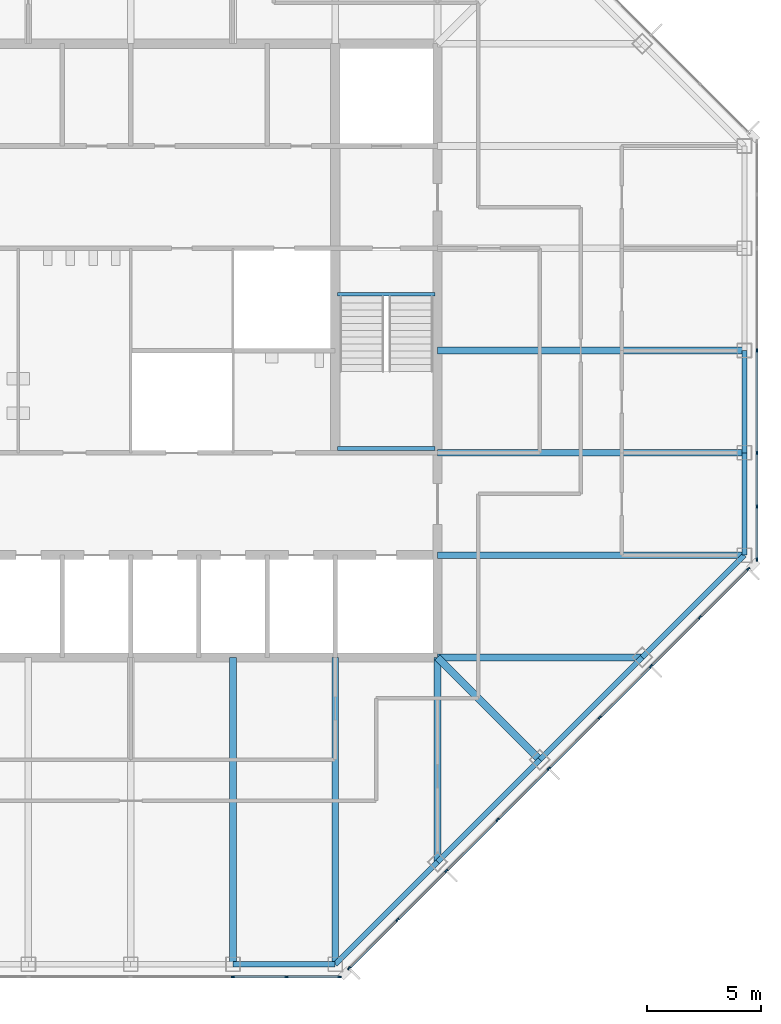
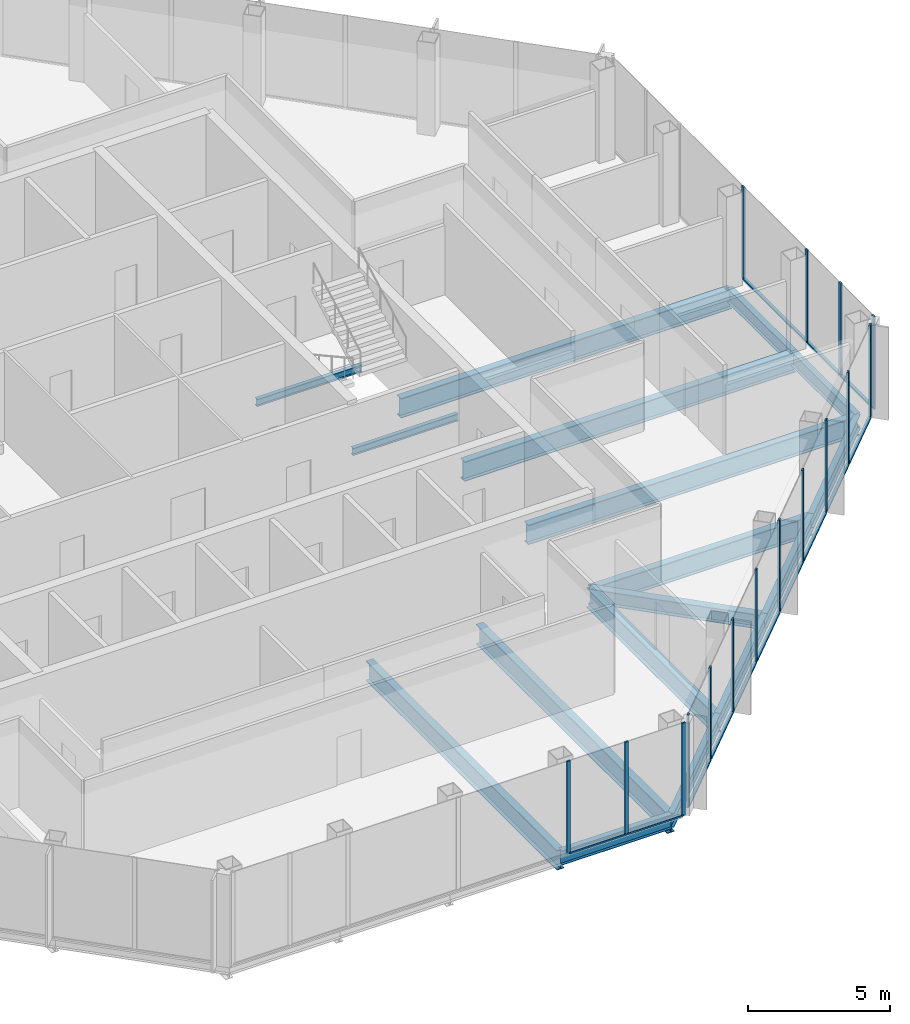
# One storey, part 4 of 14: 29 members, 17 beams, 3 elements without a shape of their own.
"""IFC4 building model written with IfcOpenShell, lengths in metres."""

from ifc_helpers import new_model, si_unit, direction, frame, origin, origin_2d, place, context, subcontext, project, spatial, rectangle, i_section, extrude, material, material_profile, profile_set, type_object, element, aggregate, save


model = new_model("IFC4")

# Units and contexts
model_context = context("Model", 3, precision=1e-05, world=origin(), true_north=direction((0.0, 1.0)))
body_context = subcontext(model_context, "Body", "Model", "MODEL_VIEW")
ifc_project = project(units=[si_unit("LENGTHUNIT", "METRE"), si_unit("AREAUNIT", "SQUARE_METRE"), si_unit("VOLUMEUNIT", "CUBIC_METRE"), si_unit("PLANEANGLEUNIT", "RADIAN"), si_unit("MASSUNIT", "GRAM", prefix="KILO")], contexts=[model_context])

# Site, building, storey
site_placement = place(None, origin())
site = spatial("IfcSite", under=ifc_project, at=site_placement, CompositionType="ELEMENT")
building_placement = place(site_placement, origin())
building = spatial("IfcBuilding", under=site, at=building_placement, Name="Corais Broadcast Tower", CompositionType="ELEMENT")
storey_placement = place(building_placement, frame((0.0, 0.0, 214.60009765625)))
storey = spatial("IfcBuildingStorey", under=building, at=storey_placement, Name="L49", CompositionType="ELEMENT", Elevation=214.60009765625)

# Beams
ifc_material_1 = material(Name="Steel ASTM A572 Grade 50", Category="steel")
ifc_material_profile_1 = material_profile(ifc_material_1, i_section(OverallWidth=0.323974609375, OverallDepth=0.611083984375, WebThickness=0.0126953125, FlangeThickness=0.01904296875, at=origin_2d()), Name="W610x155")
ifc_profile_set_1 = profile_set([ifc_material_profile_1], Name="Steel ASTM A572 Grade 50")
beam_type_1 = type_object("IfcBeamType", Name="Corner diagonal W610x155", PredefinedType="BEAM", material=ifc_profile_set_1)
beam_1_placement = place(storey_placement, frame((45.0, 9.0, -0.465576171875), z_axis=(-0.707106781187, 0.707106781187, 0.0), x_axis=(-0.707106781187, -0.707106781187, 0.0)))
element("IfcBeam", 1, at=beam_1_placement, inside=storey, type_object=beam_type_1, Name="B6 C/13 to D/12", PredefinedType="BEAM", context=body_context, shape_type="SweptSolid", body=[
    extrude(i_section(OverallWidth=0.323974609375, OverallDepth=0.611083984375, WebThickness=0.0126953125, FlangeThickness=0.01904296875, at=origin_2d()), origin(), (0.0, 0.0, 1.0), 6.364013671875),
])
ifc_material_2 = material(Name="Steel ASTM A572 Grade 50", Category="steel")
ifc_material_profile_2 = material_profile(ifc_material_2, i_section(OverallWidth=0.2939453125, OverallDepth=0.85107421875, WebThickness=0.01611328125, FlangeThickness=0.02685546875, at=origin_2d()), Name="W840x226")
ifc_profile_set_2 = profile_set([ifc_material_profile_2], Name="Steel ASTM A572 Grade 50")
beam_type_2 = type_object("IfcBeamType", Name="Floor beam W840x226", PredefinedType="BEAM", material=ifc_profile_set_2)
for number, where, z_axis, x_axis, name in (
    (2, (31.5, 0.0, -0.585693359375), (0.0, 1.0, 0.0), (-1.0, 0.0, 0.0), "B1 A/10 to D/10"),
    (3, (36.0, 0.0, -0.585693359375), (0.0, 1.0, 0.0), (-1.0, 0.0, 0.0), "B1 A/11 to D/11"),
):
    element("IfcBeam", number, at=place(storey_placement, frame(where, z_axis=z_axis, x_axis=x_axis)), inside=storey, type_object=beam_type_2, Name=name, PredefinedType="BEAM", context=body_context, shape_type="SweptSolid", body=[
        extrude(i_section(OverallWidth=0.2939453125, OverallDepth=0.85107421875, WebThickness=0.01611328125, FlangeThickness=0.02685546875, at=origin_2d()), origin(), (0.0, 0.0, 1.0), 13.5),
    ])
for number, where, z_axis, x_axis, name in (
    (4, (40.5, 4.5, -0.585693359375), (0.0, 1.0, 0.0), (-1.0, 0.0, 0.0), "B1 B/12 to D/12"),
    (5, (49.5, 13.5, -0.585693359375), (-1.0, 0.0, 0.0), (0.0, -1.0, 0.0), "B1 D/14 to D/12"),
):
    element("IfcBeam", number, at=place(storey_placement, frame(where, z_axis=z_axis, x_axis=x_axis)), inside=storey, type_object=beam_type_2, Name=name, PredefinedType="BEAM", context=body_context, shape_type="SweptSolid", body=[
        extrude(i_section(OverallWidth=0.2939453125, OverallDepth=0.85107421875, WebThickness=0.01611328125, FlangeThickness=0.02685546875, at=origin_2d()), origin(), (0.0, 0.0, 1.0), 9.0),
    ])
for number, where, z_axis, x_axis, name in (
    (6, (54.0, 18.0, -0.585693359375), (-1.0, 0.0, 0.0), (0.0, -1.0, 0.0), "B1 E/15 to E/12"),
    (7, (54.0, 22.5, -0.585693359375), (-1.0, 0.0, 0.0), (0.0, -1.0, 0.0), "B1 F/15 to F/12"),
    (8, (54.0, 27.0, -0.585693359375), (-1.0, 0.0, 0.0), (0.0, -1.0, 0.0), "B1 G/15 to G/12"),
):
    element("IfcBeam", number, at=place(storey_placement, frame(where, z_axis=z_axis, x_axis=x_axis)), inside=storey, type_object=beam_type_2, Name=name, PredefinedType="BEAM", context=body_context, shape_type="SweptSolid", body=[
        extrude(i_section(OverallWidth=0.2939453125, OverallDepth=0.85107421875, WebThickness=0.01611328125, FlangeThickness=0.02685546875, at=origin_2d()), origin(), (0.0, 0.0, 1.0), 13.5),
    ])
ifc_material_3 = material(Name="Steel ASTM A572 Grade 50", Category="steel")
ifc_material_profile_3 = material_profile(ifc_material_3, i_section(OverallWidth=0.1650390625, OverallDepth=0.31005859375, WebThickness=0.005859375, FlangeThickness=0.009765625, at=origin_2d()), Name="W310x38.7")
ifc_profile_set_3 = profile_set([ifc_material_profile_3], Name="Steel ASTM A572 Grade 50")
beam_type_3 = type_object("IfcBeamType", Name="Landing trimmer W310x38.7", PredefinedType="BEAM", material=ifc_profile_set_3)
for number, where, z_axis, x_axis, name in (
    (9, (36.10009765625, 29.47509765625, -0.35498046875), (1.0, 0.0, 0.0), (0.0, 1.0, 0.0), "LT1 stair B landing trimmer L49"),
    (10, (36.10009765625, 22.68994140625, 1.64501953125), (1.0, 0.0, 0.0), (0.0, 1.0, 0.0), "LT1 stair B half landing trimmer L49"),
):
    element("IfcBeam", number, at=place(storey_placement, frame(where, z_axis=z_axis, x_axis=x_axis)), inside=storey, type_object=beam_type_3, Name=name, PredefinedType="BEAM", context=body_context, shape_type="SweptSolid", body=[
        extrude(i_section(OverallWidth=0.1650390625, OverallDepth=0.31005859375, WebThickness=0.005859375, FlangeThickness=0.009765625, at=origin_2d()), origin(), (0.0, 0.0, 1.0), 4.2998046875),
    ])

# Curtain wall, members
ifc_material_4 = material(Name="Aluminium and glass", Category="aluminium")
curtain_wall_type = type_object("IfcCurtainWallType", Name="Unitised fritted curtain wall CW3", PredefinedType="NOTDEFINED", material=ifc_material_4)
curtain_wall_1_placement = place(storey_placement, origin())
curtain_wall_1 = element("IfcCurtainWall", 11, at=curtain_wall_1_placement, inside=storey, type_object=curtain_wall_type, Name="CW3 curtain wall L49 6", PredefinedType="NOTDEFINED")
ifc_material_5 = material(Name="Aluminium 6063-T6", Category="aluminium")
ifc_material_profile_4 = material_profile(ifc_material_5, rectangle(XDim=0.06494140625, YDim=0.159912109375, at=origin_2d()), Name="Mullion CW3 65x160")
ifc_profile_set_4 = profile_set([ifc_material_profile_4], Name="Aluminium 6063-T6")
member_type_1 = type_object("IfcMemberType", Name="Mullion CW3 65x160", PredefinedType="MULLION", material=ifc_profile_set_4)
member_1_placement = place(storey_placement, frame((54.550048828125, 27.0, 0.0), z_axis=(0.0, 0.0, 1.0), x_axis=(1.0, 0.0, 0.0)))
member_1 = element("IfcMember", 12, at=member_1_placement, type_object=member_type_1, Name="CW3 mullion 4", PredefinedType="MULLION", context=body_context, shape_type="SweptSolid", body=[
    extrude(rectangle(XDim=0.06494140625, YDim=0.159912109375, at=origin_2d()), origin(), (0.0, 0.0, 1.0), 4.0),
])
member_2_placement = place(storey_placement, frame((54.550048828125, 22.5, 0.0), z_axis=(0.0, 0.0, 1.0), x_axis=(1.0, 0.0, 0.0)))
member_2 = element("IfcMember", 13, at=member_2_placement, type_object=member_type_1, Name="CW3 mullion 5", PredefinedType="MULLION", context=body_context, shape_type="SweptSolid", body=[
    extrude(rectangle(XDim=0.06494140625, YDim=0.159912109375, at=origin_2d()), origin(), (0.0, 0.0, 1.0), 4.0),
])
member_3_placement = place(storey_placement, frame((54.550048828125, 20.135986328125, 0.0), z_axis=(0.0, 0.0, 1.0), x_axis=(1.0, 0.0, 0.0)))
member_3 = element("IfcMember", 14, at=member_3_placement, type_object=member_type_1, Name="CW3 mullion 6", PredefinedType="MULLION", context=body_context, shape_type="SweptSolid", body=[
    extrude(rectangle(XDim=0.06494140625, YDim=0.159912109375, at=origin_2d()), origin(), (0.0, 0.0, 1.0), 4.0),
])
member_4_placement = place(storey_placement, frame((54.550048828125, 17.8046875, 0.0), z_axis=(0.0, 0.0, 1.0), x_axis=(1.0, 0.0, 0.0)))
member_4 = element("IfcMember", 15, at=member_4_placement, type_object=member_type_1, Name="CW3 mullion 7", PredefinedType="MULLION", context=body_context, shape_type="SweptSolid", body=[
    extrude(rectangle(XDim=0.06494140625, YDim=0.159912109375, at=origin_2d()), origin(), (0.0, 0.0, 1.0), 4.0),
])

curtain_wall_2_placement = place(storey_placement, origin())
curtain_wall_2 = element("IfcCurtainWall", 16, at=curtain_wall_2_placement, inside=storey, type_object=curtain_wall_type, Name="CW3 curtain wall L49 7", PredefinedType="NOTDEFINED")
member_5_placement = place(storey_placement, frame((54.17333984375, 17.3955078125, 0.0), z_axis=(0.0, 0.0, 1.0), x_axis=(0.707106781187, -0.707106781187, 0.0)))
member_5 = element("IfcMember", 17, at=member_5_placement, type_object=member_type_1, Name="CW3 mullion 1", PredefinedType="MULLION", context=body_context, shape_type="SweptSolid", body=[
    extrude(rectangle(XDim=0.06494140625, YDim=0.159912109375, at=origin_2d()), origin(), (0.0, 0.0, 1.0), 4.0),
])
member_6_placement = place(storey_placement, frame((52.042724609375, 15.264892578125, 0.0), z_axis=(0.0, 0.0, 1.0), x_axis=(0.707106781187, -0.707106781187, 0.0)))
member_6 = element("IfcMember", 18, at=member_6_placement, type_object=member_type_1, Name="CW3 mullion 2", PredefinedType="MULLION", context=body_context, shape_type="SweptSolid", body=[
    extrude(rectangle(XDim=0.06494140625, YDim=0.159912109375, at=origin_2d()), origin(), (0.0, 0.0, 1.0), 4.0),
])
member_7_placement = place(storey_placement, frame((49.888916015625, 13.111083984375, 0.0), z_axis=(0.0, 0.0, 1.0), x_axis=(0.707106781187, -0.707106781187, 0.0)))
member_7 = element("IfcMember", 19, at=member_7_placement, type_object=member_type_1, Name="CW3 mullion 3", PredefinedType="MULLION", context=body_context, shape_type="SweptSolid", body=[
    extrude(rectangle(XDim=0.06494140625, YDim=0.159912109375, at=origin_2d()), origin(), (0.0, 0.0, 1.0), 4.0),
])
member_8_placement = place(storey_placement, frame((47.638916015625, 10.861083984375, 0.0), z_axis=(0.0, 0.0, 1.0), x_axis=(0.707106781187, -0.707106781187, 0.0)))
member_8 = element("IfcMember", 20, at=member_8_placement, type_object=member_type_1, Name="CW3 mullion 4", PredefinedType="MULLION", context=body_context, shape_type="SweptSolid", body=[
    extrude(rectangle(XDim=0.06494140625, YDim=0.159912109375, at=origin_2d()), origin(), (0.0, 0.0, 1.0), 4.0),
])
member_9_placement = place(storey_placement, frame((45.388916015625, 8.611083984375, 0.0), z_axis=(0.0, 0.0, 1.0), x_axis=(0.707106781187, -0.707106781187, 0.0)))
member_9 = element("IfcMember", 21, at=member_9_placement, type_object=member_type_1, Name="CW3 mullion 5", PredefinedType="MULLION", context=body_context, shape_type="SweptSolid", body=[
    extrude(rectangle(XDim=0.06494140625, YDim=0.159912109375, at=origin_2d()), origin(), (0.0, 0.0, 1.0), 4.0),
])
member_10_placement = place(storey_placement, frame((43.138916015625, 6.361083984375, 0.0), z_axis=(0.0, 0.0, 1.0), x_axis=(0.707106781187, -0.707106781187, 0.0)))
member_10 = element("IfcMember", 22, at=member_10_placement, type_object=member_type_1, Name="CW3 mullion 6", PredefinedType="MULLION", context=body_context, shape_type="SweptSolid", body=[
    extrude(rectangle(XDim=0.06494140625, YDim=0.159912109375, at=origin_2d()), origin(), (0.0, 0.0, 1.0), 4.0),
])
member_11_placement = place(storey_placement, frame((40.888916015625, 4.111083984375, 0.0), z_axis=(0.0, 0.0, 1.0), x_axis=(0.707106781187, -0.707106781187, 0.0)))
member_11 = element("IfcMember", 23, at=member_11_placement, type_object=member_type_1, Name="CW3 mullion 7", PredefinedType="MULLION", context=body_context, shape_type="SweptSolid", body=[
    extrude(rectangle(XDim=0.06494140625, YDim=0.159912109375, at=origin_2d()), origin(), (0.0, 0.0, 1.0), 4.0),
])
member_12_placement = place(storey_placement, frame((38.735107421875, 1.957275390625, 0.0), z_axis=(0.0, 0.0, 1.0), x_axis=(0.707106781187, -0.707106781187, 0.0)))
member_12 = element("IfcMember", 24, at=member_12_placement, type_object=member_type_1, Name="CW3 mullion 8", PredefinedType="MULLION", context=body_context, shape_type="SweptSolid", body=[
    extrude(rectangle(XDim=0.06494140625, YDim=0.159912109375, at=origin_2d()), origin(), (0.0, 0.0, 1.0), 4.0),
])
member_13_placement = place(storey_placement, frame((36.6044921875, -0.17333984375, 0.0), z_axis=(0.0, 0.0, 1.0), x_axis=(0.707106781187, -0.707106781187, 0.0)))
member_13 = element("IfcMember", 25, at=member_13_placement, type_object=member_type_1, Name="CW3 mullion 9", PredefinedType="MULLION", context=body_context, shape_type="SweptSolid", body=[
    extrude(rectangle(XDim=0.06494140625, YDim=0.159912109375, at=origin_2d()), origin(), (0.0, 0.0, 1.0), 4.0),
])

curtain_wall_3_placement = place(storey_placement, origin())
curtain_wall_3 = element("IfcCurtainWall", 26, at=curtain_wall_3_placement, inside=storey, type_object=curtain_wall_type, Name="CW3 curtain wall L49 8", PredefinedType="NOTDEFINED")
member_14_placement = place(storey_placement, frame((36.1953125, -0.550048828125, 0.0), z_axis=(0.0, 0.0, 1.0), x_axis=(0.0, -1.0, 0.0)))
member_14 = element("IfcMember", 27, at=member_14_placement, type_object=member_type_1, Name="CW3 mullion 1", PredefinedType="MULLION", context=body_context, shape_type="SweptSolid", body=[
    extrude(rectangle(XDim=0.06494140625, YDim=0.159912109375, at=origin_2d()), origin(), (0.0, 0.0, 1.0), 4.0),
])
member_15_placement = place(storey_placement, frame((33.864013671875, -0.550048828125, 0.0), z_axis=(0.0, 0.0, 1.0), x_axis=(0.0, -1.0, 0.0)))
member_15 = element("IfcMember", 28, at=member_15_placement, type_object=member_type_1, Name="CW3 mullion 2", PredefinedType="MULLION", context=body_context, shape_type="SweptSolid", body=[
    extrude(rectangle(XDim=0.06494140625, YDim=0.159912109375, at=origin_2d()), origin(), (0.0, 0.0, 1.0), 4.0),
])
member_16_placement = place(storey_placement, frame((31.5, -0.550048828125, 0.0), z_axis=(0.0, 0.0, 1.0), x_axis=(0.0, -1.0, 0.0)))
member_16 = element("IfcMember", 29, at=member_16_placement, type_object=member_type_1, Name="CW3 mullion 3", PredefinedType="MULLION", context=body_context, shape_type="SweptSolid", body=[
    extrude(rectangle(XDim=0.06494140625, YDim=0.159912109375, at=origin_2d()), origin(), (0.0, 0.0, 1.0), 4.0),
])

# Beams
ifc_material_6 = material(Name="Steel ASTM A572 Grade 50", Category="steel")
ifc_material_profile_5 = material_profile(ifc_material_6, i_section(OverallWidth=0.22998046875, OverallDepth=0.616943359375, WebThickness=0.01318359375, FlangeThickness=0.022216796875, at=origin_2d()), Name="W610x140")
ifc_profile_set_5 = profile_set([ifc_material_profile_5], Name="Steel ASTM A572 Grade 50")
beam_type_4 = type_object("IfcBeamType", Name="Spandrel W610x140", PredefinedType="BEAM", material=ifc_profile_set_5)
beam_2_placement = place(storey_placement, frame((31.5, 0.0, -0.468505859375), z_axis=(1.0, 0.0, 0.0), x_axis=(0.0, 1.0, 0.0)))
element("IfcBeam", 30, at=beam_2_placement, inside=storey, type_object=beam_type_4, Name="SB3 A/10 to A/11", PredefinedType="BEAM", context=body_context, shape_type="SweptSolid", body=[
    extrude(i_section(OverallWidth=0.22998046875, OverallDepth=0.616943359375, WebThickness=0.01318359375, FlangeThickness=0.022216796875, at=origin_2d()), origin(), (0.0, 0.0, 1.0), 4.5),
])
for number, where, z_axis, x_axis, name in (
    (31, (36.0, 0.0, -0.468505859375), (0.707106781187, 0.707106781187, 0.0), (-0.707106781187, 0.707106781187, 0.0), "SB3 A/11 to B/12"),
    (32, (40.5, 4.5, -0.468505859375), (0.707106781187, 0.707106781187, 0.0), (-0.707106781187, 0.707106781187, 0.0), "SB3 B/12 to C/13"),
    (33, (45.0, 9.0, -0.468505859375), (0.707106781187, 0.707106781187, 0.0), (-0.707106781187, 0.707106781187, 0.0), "SB3 C/13 to D/14"),
    (34, (49.5, 13.5, -0.468505859375), (0.707106781187, 0.707106781187, 0.0), (-0.707106781187, 0.707106781187, 0.0), "SB3 D/14 to E/15"),
):
    element("IfcBeam", number, at=place(storey_placement, frame(where, z_axis=z_axis, x_axis=x_axis)), inside=storey, type_object=beam_type_4, Name=name, PredefinedType="BEAM", context=body_context, shape_type="SweptSolid", body=[
        extrude(i_section(OverallWidth=0.22998046875, OverallDepth=0.616943359375, WebThickness=0.01318359375, FlangeThickness=0.022216796875, at=origin_2d()), origin(), (0.0, 0.0, 1.0), 6.364013671875),
    ])
for number, where, z_axis, x_axis, name in (
    (35, (54.0, 18.0, -0.468505859375), (0.0, 1.0, 0.0), (-1.0, 0.0, 0.0), "SB3 E/15 to F/15"),
    (36, (54.0, 22.5, -0.468505859375), (0.0, 1.0, 0.0), (-1.0, 0.0, 0.0), "SB3 F/15 to G/15"),
):
    element("IfcBeam", number, at=place(storey_placement, frame(where, z_axis=z_axis, x_axis=x_axis)), inside=storey, type_object=beam_type_4, Name=name, PredefinedType="BEAM", context=body_context, shape_type="SweptSolid", body=[
        extrude(i_section(OverallWidth=0.22998046875, OverallDepth=0.616943359375, WebThickness=0.01318359375, FlangeThickness=0.022216796875, at=origin_2d()), origin(), (0.0, 0.0, 1.0), 4.5),
    ])

# Member
ifc_material_7 = material(Name="Aluminium 6063-T6", Category="aluminium")
ifc_material_profile_6 = material_profile(ifc_material_7, rectangle(XDim=0.1201171875, YDim=0.06494140625, at=origin_2d()), Name="Transom CW3 65x120")
ifc_profile_set_6 = profile_set([ifc_material_profile_6], Name="Aluminium 6063-T6")
member_type_2 = type_object("IfcMemberType", Name="Transom CW3 65x120", PredefinedType="USERDEFINED", material=ifc_profile_set_6)
member_17_placement = place(storey_placement, frame((54.550048828125, 26.967529296875, 0.032470703125), z_axis=(0.0, -1.0, 0.0), x_axis=(1.0, 0.0, 0.0)))
member_17 = element("IfcMember", 37, at=member_17_placement, type_object=member_type_2, Name="CW3 transom 4.1", ObjectType="TRANSOM", PredefinedType="USERDEFINED", context=body_context, shape_type="SweptSolid", body=[
    extrude(rectangle(XDim=0.1201171875, YDim=0.06494140625, at=origin_2d()), origin(), (0.0, 0.0, 1.0), 4.43505859375),
])

member_18_placement = place(storey_placement, frame((54.550048828125, 22.467529296875, 0.032470703125), z_axis=(0.0, -1.0, 0.0), x_axis=(1.0, 0.0, 0.0)))
member_18 = element("IfcMember", 38, at=member_18_placement, type_object=member_type_2, Name="CW3 transom 5.1", ObjectType="TRANSOM", PredefinedType="USERDEFINED", context=body_context, shape_type="SweptSolid", body=[
    extrude(rectangle(XDim=0.1201171875, YDim=0.06494140625, at=origin_2d()), origin(), (0.0, 0.0, 1.0), 2.298828125),
])

member_19_placement = place(storey_placement, frame((54.550048828125, 20.103515625, 0.032470703125), z_axis=(0.0, -1.0, 0.0), x_axis=(1.0, 0.0, 0.0)))
member_19 = element("IfcMember", 39, at=member_19_placement, type_object=member_type_2, Name="CW3 transom 6.1", ObjectType="TRANSOM", PredefinedType="USERDEFINED", context=body_context, shape_type="SweptSolid", body=[
    extrude(rectangle(XDim=0.1201171875, YDim=0.06494140625, at=origin_2d()), origin(), (0.0, 0.0, 1.0), 2.266357421875),
])

aggregate(curtain_wall_1, [member_1, member_2, member_3, member_4, member_17, member_18, member_19])

member_20_placement = place(storey_placement, frame((54.150390625, 17.37255859375, 0.032470703125), z_axis=(-0.707106781187, -0.707106781187, 0.0), x_axis=(0.707106781187, -0.707106781187, 0.0)))
member_20 = element("IfcMember", 40, at=member_20_placement, type_object=member_type_2, Name="CW3 transom 1.1", ObjectType="TRANSOM", PredefinedType="USERDEFINED", context=body_context, shape_type="SweptSolid", body=[
    extrude(rectangle(XDim=0.1201171875, YDim=0.06494140625, at=origin_2d()), origin(), (0.0, 0.0, 1.0), 2.9482421875),
])

member_21_placement = place(storey_placement, frame((52.019775390625, 15.241943359375, 0.032470703125), z_axis=(-0.707106781187, -0.707106781187, 0.0), x_axis=(0.707106781187, -0.707106781187, 0.0)))
member_21 = element("IfcMember", 41, at=member_21_placement, type_object=member_type_2, Name="CW3 transom 2.1", ObjectType="TRANSOM", PredefinedType="USERDEFINED", context=body_context, shape_type="SweptSolid", body=[
    extrude(rectangle(XDim=0.1201171875, YDim=0.06494140625, at=origin_2d()), origin(), (0.0, 0.0, 1.0), 2.98095703125),
])

member_22_placement = place(storey_placement, frame((49.865966796875, 13.088134765625, 0.032470703125), z_axis=(-0.707106781187, -0.707106781187, 0.0), x_axis=(0.707106781187, -0.707106781187, 0.0)))
member_22 = element("IfcMember", 42, at=member_22_placement, type_object=member_type_2, Name="CW3 transom 3.1", ObjectType="TRANSOM", PredefinedType="USERDEFINED", context=body_context, shape_type="SweptSolid", body=[
    extrude(rectangle(XDim=0.1201171875, YDim=0.06494140625, at=origin_2d()), origin(), (0.0, 0.0, 1.0), 3.1171875),
])

member_23_placement = place(storey_placement, frame((47.615966796875, 10.838134765625, 0.032470703125), z_axis=(-0.707106781187, -0.707106781187, 0.0), x_axis=(0.707106781187, -0.707106781187, 0.0)))
member_23 = element("IfcMember", 43, at=member_23_placement, type_object=member_type_2, Name="CW3 transom 4.1", ObjectType="TRANSOM", PredefinedType="USERDEFINED", context=body_context, shape_type="SweptSolid", body=[
    extrude(rectangle(XDim=0.1201171875, YDim=0.06494140625, at=origin_2d()), origin(), (0.0, 0.0, 1.0), 3.1171875),
])

member_24_placement = place(storey_placement, frame((45.365966796875, 8.588134765625, 0.032470703125), z_axis=(-0.707106781187, -0.707106781187, 0.0), x_axis=(0.707106781187, -0.707106781187, 0.0)))
member_24 = element("IfcMember", 44, at=member_24_placement, type_object=member_type_2, Name="CW3 transom 5.1", ObjectType="TRANSOM", PredefinedType="USERDEFINED", context=body_context, shape_type="SweptSolid", body=[
    extrude(rectangle(XDim=0.1201171875, YDim=0.06494140625, at=origin_2d()), origin(), (0.0, 0.0, 1.0), 3.1171875),
])

member_25_placement = place(storey_placement, frame((43.115966796875, 6.338134765625, 0.032470703125), z_axis=(-0.707106781187, -0.707106781187, 0.0), x_axis=(0.707106781187, -0.707106781187, 0.0)))
member_25 = element("IfcMember", 45, at=member_25_placement, type_object=member_type_2, Name="CW3 transom 6.1", ObjectType="TRANSOM", PredefinedType="USERDEFINED", context=body_context, shape_type="SweptSolid", body=[
    extrude(rectangle(XDim=0.1201171875, YDim=0.06494140625, at=origin_2d()), origin(), (0.0, 0.0, 1.0), 3.1171875),
])

member_26_placement = place(storey_placement, frame((40.865966796875, 4.088134765625, 0.032470703125), z_axis=(-0.70714773134, -0.707065828661, 0.0), x_axis=(0.707065828661, -0.70714773134, 0.0)))
member_26 = element("IfcMember", 46, at=member_26_placement, type_object=member_type_2, Name="CW3 transom 7.1", ObjectType="TRANSOM", PredefinedType="USERDEFINED", context=body_context, shape_type="SweptSolid", body=[
    extrude(rectangle(XDim=0.1201171875, YDim=0.06494140625, at=origin_2d()), origin(), (0.0, 0.0, 1.0), 2.98095703125),
])

member_27_placement = place(storey_placement, frame((38.712158203125, 1.934326171875, 0.032470703125), z_axis=(-0.707106781187, -0.707106781187, 0.0), x_axis=(0.707106781187, -0.707106781187, 0.0)))
member_27 = element("IfcMember", 47, at=member_27_placement, type_object=member_type_2, Name="CW3 transom 8.1", ObjectType="TRANSOM", PredefinedType="USERDEFINED", context=body_context, shape_type="SweptSolid", body=[
    extrude(rectangle(XDim=0.1201171875, YDim=0.06494140625, at=origin_2d()), origin(), (0.0, 0.0, 1.0), 2.9482421875),
])

aggregate(curtain_wall_2, [member_5, member_6, member_7, member_8, member_9, member_10, member_11, member_12, member_13, member_20, member_21, member_22, member_23, member_24, member_25, member_26, member_27])

member_28_placement = place(storey_placement, frame((36.162841796875, -0.550048828125, 0.032470703125), z_axis=(-1.0, 0.0, 0.0), x_axis=(0.0, -1.0, 0.0)))
member_28 = element("IfcMember", 48, at=member_28_placement, type_object=member_type_2, Name="CW3 transom 1.1", ObjectType="TRANSOM", PredefinedType="USERDEFINED", context=body_context, shape_type="SweptSolid", body=[
    extrude(rectangle(XDim=0.1201171875, YDim=0.06494140625, at=origin_2d()), origin(), (0.0, 0.0, 1.0), 2.266357421875),
])

member_29_placement = place(storey_placement, frame((33.831298828125, -0.550048828125, 0.032470703125), z_axis=(-1.0, 0.0, 0.0), x_axis=(0.0, -1.0, 0.0)))
member_29 = element("IfcMember", 49, at=member_29_placement, type_object=member_type_2, Name="CW3 transom 2.1", ObjectType="TRANSOM", PredefinedType="USERDEFINED", context=body_context, shape_type="SweptSolid", body=[
    extrude(rectangle(XDim=0.1201171875, YDim=0.06494140625, at=origin_2d()), origin(), (0.0, 0.0, 1.0), 2.298828125),
])

aggregate(curtain_wall_3, [member_14, member_15, member_16, member_28, member_29])

save(model, "model.ifc")
